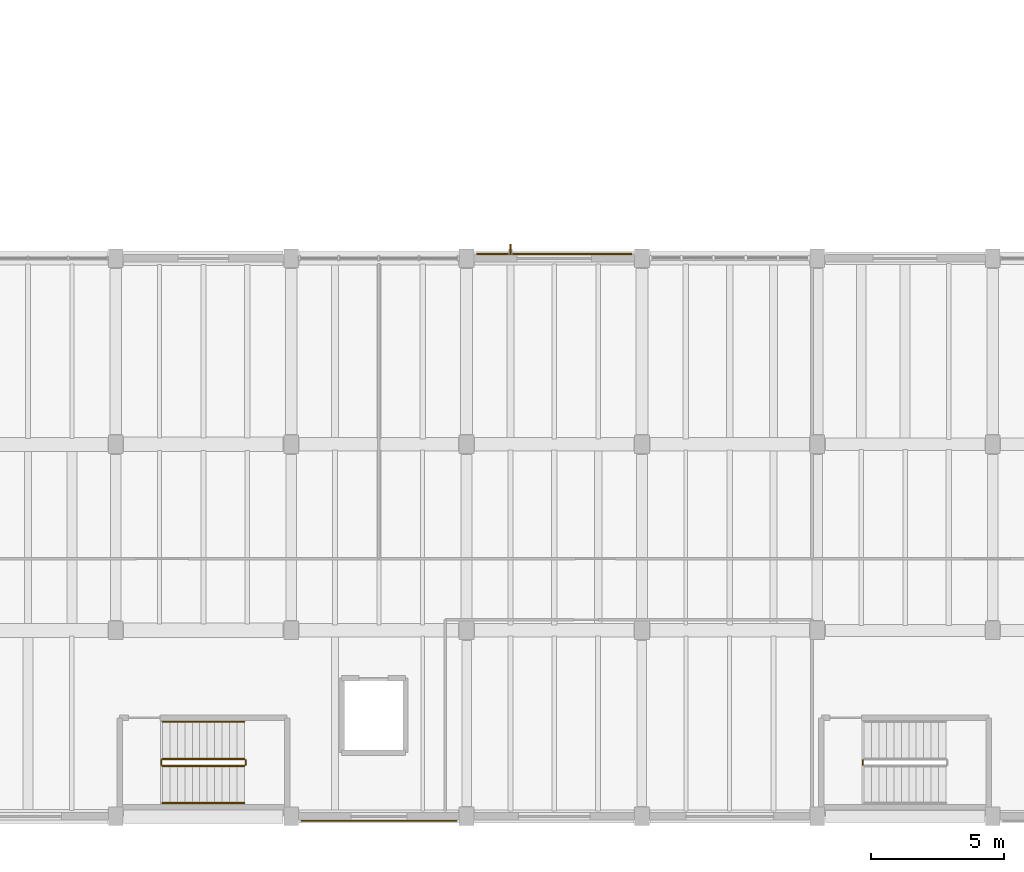
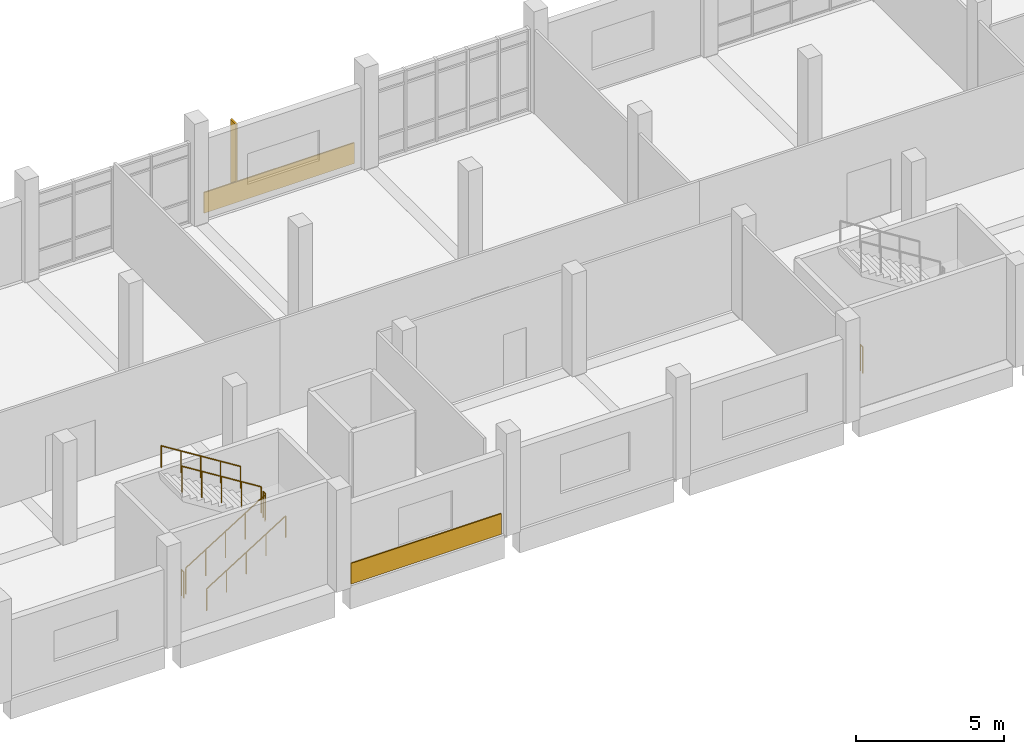
# One storey, part 58 of 68: 7 railings, 2 coverings, 1 shading device.
"""IFC4 building model written with IfcOpenShell, lengths in metres."""

from ifc_helpers import new_model, si_unit, direction, frame, origin, origin_2d, place, context, subcontext, project, spatial, rectangle, circle, extrude, material, layer, layer_set, material_profile, profile_set, type_object, element, save


model = new_model("IFC4")

# Units and contexts
model_context = context("Model", 3, precision=1e-05, world=origin(), true_north=direction((0.0, 1.0)))
body_context = subcontext(model_context, "Body", "Model", "MODEL_VIEW")
ifc_project = project(units=[si_unit("LENGTHUNIT", "METRE"), si_unit("AREAUNIT", "SQUARE_METRE"), si_unit("VOLUMEUNIT", "CUBIC_METRE"), si_unit("PLANEANGLEUNIT", "RADIAN"), si_unit("MASSUNIT", "GRAM", prefix="KILO")], contexts=[model_context])

# Site, building, storey
site_placement = place(None, origin())
site = spatial("IfcSite", under=ifc_project, at=site_placement, CompositionType="ELEMENT")
building_placement = place(site_placement, origin())
building = spatial("IfcBuilding", under=site, at=building_placement, Name="Ciguamira Faculty of Natural Sciences", CompositionType="ELEMENT")
storey_placement = place(building_placement, frame((0.0, 0.0, 4.199951171875)))
storey = spatial("IfcBuildingStorey", under=building, at=storey_placement, Name="L01", CompositionType="ELEMENT", Elevation=4.199951171875)

# Coverings
ifc_material_1 = material(Name="Precast concrete C40/50", Category="concrete")
ifc_layer = layer(ifc_material_1, 0.050048828125, Name="Precast concrete C40/50")
ifc_layer_set = layer_set([ifc_layer], Name="Precast concrete C40/50")
covering_type = type_object("IfcCoveringType", Name="Cladding_CL01", PredefinedType="CLADDING", material=ifc_layer_set)
for number, where, z_axis, x_axis, name in (
    (1, (21.0, 2.8359375, 0.02490234375), (0.0, 0.0, 1.0), (1.0, 0.0, 0.0), "L01 precast concrete spandrel cladding 008"),
    (2, (27.60009765625, 24.1640625, 0.02490234375), (0.0, 0.0, 1.0), (1.0, 0.0, 0.0), "L01 precast concrete spandrel cladding 012"),
):
    element("IfcCovering", number, at=place(storey_placement, frame(where, z_axis=z_axis, x_axis=x_axis)), inside=storey, type_object=covering_type, Name=name, PredefinedType="CLADDING", context=body_context, shape_type="SweptSolid", body=[
        extrude(rectangle(XDim=5.85009765625, YDim=0.050048828125, at=origin_2d()), origin(), (0.0, 0.0, 1.0), 0.85009765625),
    ])

# Railings
ifc_material_2 = material(Name="Stainless steel balustrade", Category="steel")
railing_type_1 = type_object("IfcRailingType", Name="Guardrail_GR01", PredefinedType="GUARDRAIL", material=ifc_material_2)
railing_1_placement = place(storey_placement, frame((12.860107421875, 4.89990234375, 0.175048828125)))
element("IfcRailing", 3, at=railing_1_placement, inside=storey, type_object=railing_type_1, Name="L01 ST-C1 stair guard 1", PredefinedType="GUARDRAIL", context=body_context, shape_type="SweptSolid", body=[
    extrude(circle(Radius=0.02392578125, at=origin_2d()), frame((0.0, 0.0, 1.076171875), z_axis=(0.847979421464, 0.0, 0.530029150871), x_axis=(0.0, 1.0, 0.0)), (0.0, 0.0, 1.0), 3.632080078125),
    extrude(circle(Radius=0.02099609375, at=origin_2d()), origin(), (0.0, 0.0, 1.0), 1.052001953125),
    extrude(circle(Radius=0.02099609375, at=origin_2d()), frame((0.77001953125, 0.0, 0.481201171875)), (0.0, 0.0, 1.0), 1.052001953125),
    extrude(circle(Radius=0.02099609375, at=origin_2d()), frame((1.5400390625, 0.0, 0.96240234375)), (0.0, 0.0, 1.0), 1.052001953125),
    extrude(circle(Radius=0.02099609375, at=origin_2d()), frame((2.309814453125, 0.0, 1.44384765625)), (0.0, 0.0, 1.0), 1.052001953125),
    extrude(circle(Radius=0.02099609375, at=origin_2d()), frame((3.079833984375, 0.0, 1.925048828125)), (0.0, 0.0, 1.0), 1.052001953125),
])
railing_2_placement = place(storey_placement, frame((15.989990234375, 4.949951171875, 2.10009765625)))
element("IfcRailing", 4, at=railing_2_placement, inside=storey, type_object=railing_type_1, Name="L01 ST-C1 stair guard 2", PredefinedType="GUARDRAIL", context=body_context, shape_type="SweptSolid", body=[
    extrude(circle(Radius=0.02392578125, at=origin_2d()), frame((0.0, 0.0, 1.076171875), z_axis=(0.0, 1.0, 0.0), x_axis=(-1.0, 0.0, 0.0)), (0.0, 0.0, 1.0), 0.16015625),
    extrude(circle(Radius=0.02099609375, at=origin_2d()), origin(), (0.0, 0.0, 1.0), 1.052001953125),
    extrude(circle(Radius=0.02099609375, at=origin_2d()), frame((0.0, 0.16015625, 0.0)), (0.0, 0.0, 1.0), 1.052001953125),
])
railing_3_placement = place(storey_placement, frame((15.93994140625, 5.159912109375, 2.275146484375)))
element("IfcRailing", 5, at=railing_3_placement, inside=storey, type_object=railing_type_1, Name="L01 ST-C1 stair guard 3", PredefinedType="GUARDRAIL", context=body_context, shape_type="SweptSolid", body=[
    extrude(circle(Radius=0.02392578125, at=origin_2d()), frame((0.0, 0.0, 1.076171875), z_axis=(-0.848009633417, 0.0, 0.529980812513), x_axis=(0.0, -1.0, 0.0)), (0.0, 0.0, 1.0), 3.6318359375),
    extrude(circle(Radius=0.02099609375, at=origin_2d()), origin(), (0.0, 0.0, 1.0), 1.052001953125),
    extrude(circle(Radius=0.02099609375, at=origin_2d()), frame((-0.77001953125, 0.0, 0.481201171875)), (0.0, 0.0, 1.0), 1.052001953125),
    extrude(circle(Radius=0.02099609375, at=origin_2d()), frame((-1.5400390625, 0.0, 0.96240234375)), (0.0, 0.0, 1.0), 1.052001953125),
    extrude(circle(Radius=0.02099609375, at=origin_2d()), frame((-2.309814453125, 0.0, 1.443603515625)), (0.0, 0.0, 1.0), 1.052001953125),
    extrude(circle(Radius=0.02099609375, at=origin_2d()), frame((-3.079833984375, 0.0, 1.9248046875)), (0.0, 0.0, 1.0), 1.052001953125),
])
for number, where, name in (
    (6, (12.81005859375, 4.949951171875, 0.0), "L01 ST-C1 stair guard 4"),
    (7, (39.2099609375, 4.949951171875, 0.0), "L01 ST-C2 stair guard 4"),
):
    element("IfcRailing", number, at=place(storey_placement, frame(where)), inside=storey, type_object=railing_type_1, Name=name, PredefinedType="GUARDRAIL", context=body_context, shape_type="SweptSolid", body=[
        extrude(circle(Radius=0.02392578125, at=origin_2d()), frame((0.0, 0.0, 1.076171875), z_axis=(0.0, 1.0, 0.0), x_axis=(-1.0, 0.0, 0.0)), (0.0, 0.0, 1.0), 0.16015625),
        extrude(circle(Radius=0.02099609375, at=origin_2d()), origin(), (0.0, 0.0, 1.0), 1.052001953125),
        extrude(circle(Radius=0.02099609375, at=origin_2d()), frame((0.0, 0.16015625, 0.0)), (0.0, 0.0, 1.0), 1.052001953125),
    ])
ifc_material_3 = material(Name="Stainless steel handrail", Category="steel")
railing_type_2 = type_object("IfcRailingType", Name="Handrail_HR01", PredefinedType="HANDRAIL", material=ifc_material_3)
railing_4_placement = place(storey_placement, frame((12.860107421875, 3.5, 0.35009765625)))
element("IfcRailing", 8, at=railing_4_placement, inside=storey, type_object=railing_type_2, Name="L01 ST-C1 stair handrail 1", PredefinedType="HANDRAIL", context=body_context, shape_type="SweptSolid", body=[
    extrude(circle(Radius=0.02392578125, at=origin_2d()), frame((0.0, 0.0, 0.89111328125), z_axis=(0.847979421464, 0.0, 0.530029150871), x_axis=(0.0, 1.0, 0.0)), (0.0, 0.0, 1.0), 3.632080078125),
    extrude(circle(Radius=0.02099609375, at=origin_2d()), origin(), (0.0, 0.0, 1.0), 0.866943359375),
    extrude(circle(Radius=0.02099609375, at=origin_2d()), frame((0.77001953125, 0.0, 0.481201171875)), (0.0, 0.0, 1.0), 0.866943359375),
    extrude(circle(Radius=0.02099609375, at=origin_2d()), frame((1.5400390625, 0.0, 0.96240234375)), (0.0, 0.0, 1.0), 0.866943359375),
    extrude(circle(Radius=0.02099609375, at=origin_2d()), frame((2.309814453125, 0.0, 1.44384765625)), (0.0, 0.0, 1.0), 0.866943359375),
    extrude(circle(Radius=0.02099609375, at=origin_2d()), frame((3.079833984375, 0.0, 1.925048828125)), (0.0, 0.0, 1.0), 0.866943359375),
])
railing_5_placement = place(storey_placement, frame((15.93994140625, 6.56005859375, 2.449951171875)))
element("IfcRailing", 9, at=railing_5_placement, inside=storey, type_object=railing_type_2, Name="L01 ST-C1 stair handrail 2", PredefinedType="HANDRAIL", context=body_context, shape_type="SweptSolid", body=[
    extrude(circle(Radius=0.02392578125, at=origin_2d()), frame((0.0, 0.0, 0.89111328125), z_axis=(-0.847979421464, 0.0, 0.530029150871), x_axis=(0.0, -1.0, 0.0)), (0.0, 0.0, 1.0), 3.632080078125),
    extrude(circle(Radius=0.02099609375, at=origin_2d()), origin(), (0.0, 0.0, 1.0), 0.866943359375),
    extrude(circle(Radius=0.02099609375, at=origin_2d()), frame((-0.77001953125, 0.0, 0.481201171875)), (0.0, 0.0, 1.0), 0.866943359375),
    extrude(circle(Radius=0.02099609375, at=origin_2d()), frame((-1.5400390625, 0.0, 0.96240234375)), (0.0, 0.0, 1.0), 0.866943359375),
    extrude(circle(Radius=0.02099609375, at=origin_2d()), frame((-2.309814453125, 0.0, 1.44384765625)), (0.0, 0.0, 1.0), 0.866943359375),
    extrude(circle(Radius=0.02099609375, at=origin_2d()), frame((-3.079833984375, 0.0, 1.925048828125)), (0.0, 0.0, 1.0), 0.866943359375),
])

# Shading device
ifc_material_4 = material(Name="Anodized bronze sunshade fin")
ifc_material_profile = material_profile(ifc_material_4, rectangle(XDim=0.06494140625, YDim=0.3798828125, at=origin_2d()), Name="BRZ-FIN-65X380")
ifc_profile_set = profile_set([ifc_material_profile], Name="Anodized bronze sunshade fin")
shading_device_type = type_object("IfcShadingDeviceType", Name="SunFin_SF01", PredefinedType="USERDEFINED", material=ifc_profile_set)
shading_device_placement = place(storey_placement, frame((25.949951171875, 24.330078125, 0.199951171875), z_axis=(0.0, 0.0, 1.0), x_axis=(1.0, 0.0, 0.0)))
element("IfcShadingDevice", 10, at=shading_device_placement, inside=storey, type_object=shading_device_type, Name="L01 bronze vertical sunshade fin 0010", ObjectType="SUNSHADE FIN", PredefinedType="USERDEFINED", context=body_context, shape_type="SweptSolid", body=[
    extrude(rectangle(XDim=0.06494140625, YDim=0.3798828125, at=origin_2d()), origin(), (0.0, 0.0, 1.0), 3.03515625),
])

save(model, "model.ifc")
